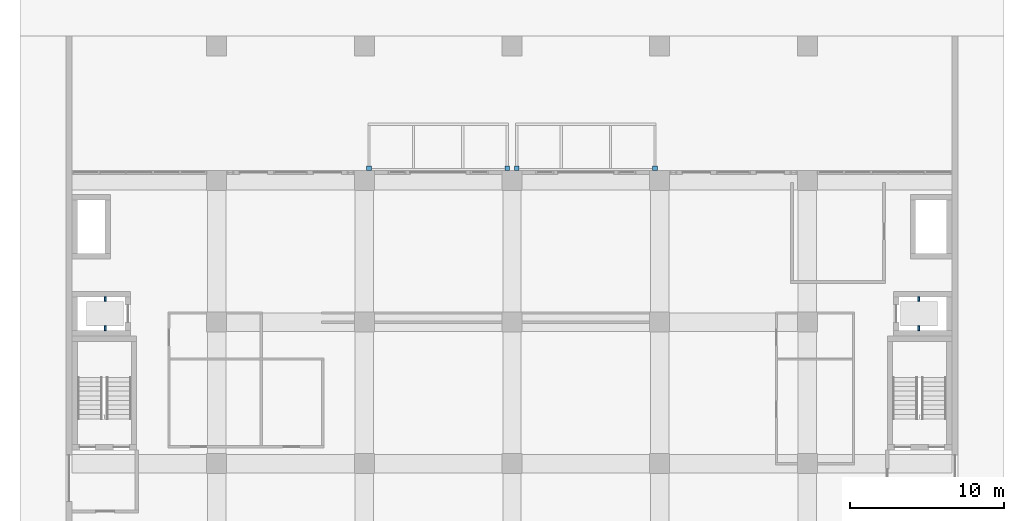
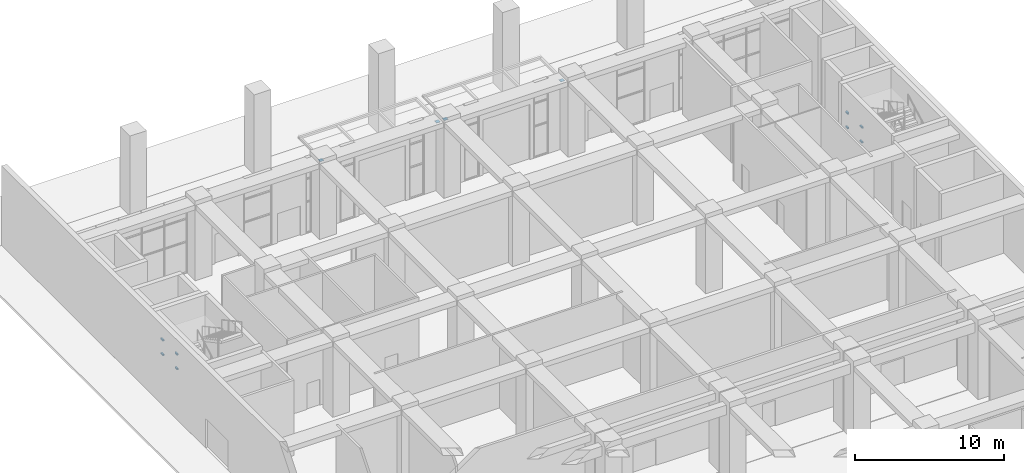
# One storey, part 29 of 45: 12 discrete accessories.
"""IFC4 building model written with IfcOpenShell, lengths in metres."""

from ifc_helpers import new_model, si_unit, direction, frame, origin, origin_2d, place, context, subcontext, project, spatial, rectangle, extrude, element, save


model = new_model("IFC4")

# Units and contexts
model_context = context("Model", 3, precision=1e-05, world=origin(), true_north=direction((0.0, 1.0)))
body_context = subcontext(model_context, "Body", "Model", "MODEL_VIEW")
ifc_project = project(units=[si_unit("LENGTHUNIT", "METRE"), si_unit("AREAUNIT", "SQUARE_METRE"), si_unit("VOLUMEUNIT", "CUBIC_METRE"), si_unit("PLANEANGLEUNIT", "RADIAN"), si_unit("MASSUNIT", "GRAM", prefix="KILO")], contexts=[model_context])

# Site, building, storey
site_placement = place(None, origin())
site = spatial("IfcSite", under=ifc_project, at=site_placement, CompositionType="ELEMENT")
building_placement = place(site_placement, origin())
building = spatial("IfcBuilding", under=site, at=building_placement, Name="Nzadi Deep Aquarium and Research Tower", CompositionType="ELEMENT")
storey_placement = place(building_placement, origin())
storey = spatial("IfcBuildingStorey", under=building, at=storey_placement, Name="G", CompositionType="ELEMENT", Elevation=0.0)

# Discrete accessories
for number, where, z_axis, x_axis, name in (
    (1, (19.5, 132.39990234375, 5.280029296875), (0.0, 0.0, 1.0), (1.0, 0.0, 0.0), "Canopy seat bracket"),
    (2, (28.5, 132.39990234375, 5.280029296875), (0.0, 0.0, 1.0), (1.0, 0.0, 0.0), "Canopy seat bracket"),
    (3, (29.10009765625, 132.39990234375, 5.280029296875), (0.0, 0.0, 1.0), (1.0, 0.0, 0.0), "Canopy seat bracket"),
    (4, (38.10009765625, 132.39990234375, 5.280029296875), (0.0, 0.0, 1.0), (1.0, 0.0, 0.0), "Canopy seat bracket"),
):
    element("IfcDiscreteAccessory", number, at=place(storey_placement, frame(where, z_axis=z_axis, x_axis=x_axis)), inside=storey, Name=name, PredefinedType="BRACKET", context=body_context, shape_type="SweptSolid", body=[
        extrude(rectangle(XDim=0.300048828125, YDim=0.300048828125, at=origin_2d()), origin(), (0.0, 0.0, 1.0), 0.02001953125),
    ])
for number, where, z_axis, x_axis, name in (
    (5, (2.35009765625, 122.0, 0.5400390625), (0.0, 0.0, 1.0), (1.0, 0.0, 0.0), "Guide rail bracket PL5"),
    (6, (2.35009765625, 122.0, 1.739990234375), (0.0, 0.0, 1.0), (1.0, 0.0, 0.0), "Guide rail bracket PL5"),
    (7, (2.35009765625, 123.89990234375, 0.5400390625), (0.0, 0.0, 1.0), (1.0, 0.0, 0.0), "Guide rail bracket PL5"),
    (8, (2.35009765625, 123.89990234375, 1.739990234375), (0.0, 0.0, 1.0), (1.0, 0.0, 0.0), "Guide rail bracket PL5"),
    (9, (55.25, 122.0, 0.5400390625), (0.0, 0.0, 1.0), (1.0, 0.0, 0.0), "Guide rail bracket PL6"),
    (10, (55.25, 122.0, 1.739990234375), (0.0, 0.0, 1.0), (1.0, 0.0, 0.0), "Guide rail bracket PL6"),
    (11, (55.25, 123.89990234375, 0.5400390625), (0.0, 0.0, 1.0), (1.0, 0.0, 0.0), "Guide rail bracket PL6"),
    (12, (55.25, 123.89990234375, 1.739990234375), (0.0, 0.0, 1.0), (1.0, 0.0, 0.0), "Guide rail bracket PL6"),
):
    element("IfcDiscreteAccessory", number, at=place(storey_placement, frame(where, z_axis=z_axis, x_axis=x_axis)), inside=storey, Name=name, PredefinedType="BRACKET", context=body_context, shape_type="SweptSolid", body=[
        extrude(rectangle(XDim=0.1201171875, YDim=0.300048828125, at=origin_2d()), origin(), (0.0, 0.0, 1.0), 0.1201171875),
    ])

save(model, "model.ifc")
